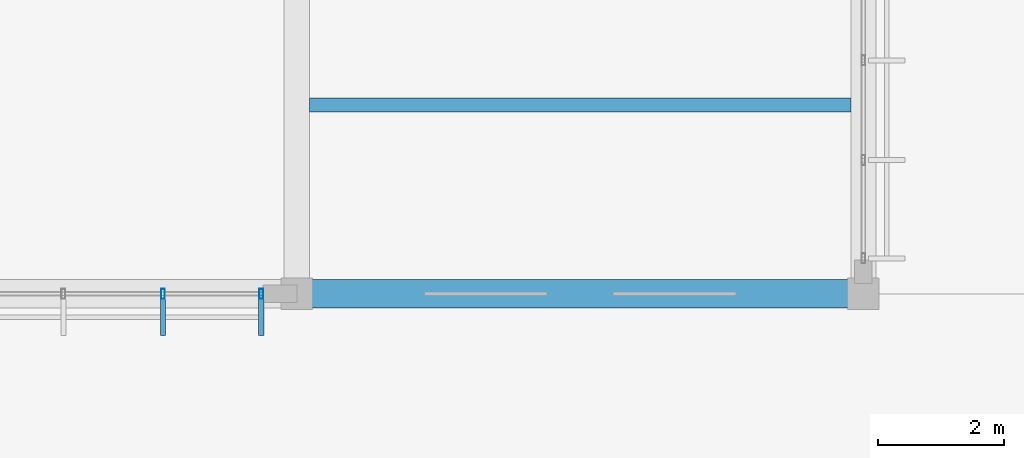
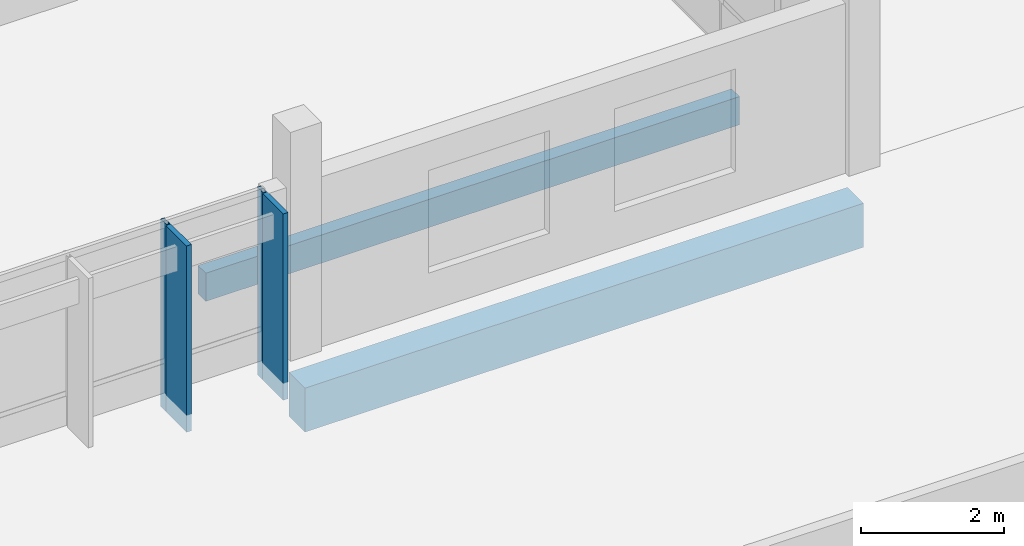
# One storey, part 58 of 107: 4 members, 2 beams, 1 element without a shape of its own.
"""IFC4 building model written with IfcOpenShell, lengths in metres."""

from ifc_helpers import new_model, si_unit, direction, frame, origin, origin_2d, place, context, subcontext, project, spatial, rectangle, hollow_rectangle, extrude, material, material_profile, profile_set, type_object, element, aggregate, save


model = new_model("IFC4")

# Units and contexts
model_context = context("Model", 3, precision=1e-05, world=origin(), true_north=direction((0.0, 1.0)))
body_context = subcontext(model_context, "Body", "Model", "MODEL_VIEW")
ifc_project = project(units=[si_unit("LENGTHUNIT", "METRE"), si_unit("AREAUNIT", "SQUARE_METRE"), si_unit("VOLUMEUNIT", "CUBIC_METRE"), si_unit("PLANEANGLEUNIT", "RADIAN"), si_unit("MASSUNIT", "GRAM", prefix="KILO")], contexts=[model_context])

# Site, building, storey
site_placement = place(None, origin())
site = spatial("IfcSite", under=ifc_project, at=site_placement, CompositionType="ELEMENT")
building_placement = place(site_placement, origin())
building = spatial("IfcBuilding", under=site, at=building_placement, Name="Chiffa Square Polytechnic", CompositionType="ELEMENT")
storey_placement = place(building_placement, frame((0.0, 0.0, 13.800048828125)))
storey = spatial("IfcBuildingStorey", under=building, at=storey_placement, Name="L03", CompositionType="ELEMENT", Elevation=13.800048828125)

# Beam
ifc_material_1 = material(Name="Concrete C35/45", Category="concrete")
ifc_material_profile_1 = material_profile(ifc_material_1, rectangle(XDim=0.449951171875, YDim=0.75, at=origin_2d()), Name="RC 450x750")
ifc_profile_set_1 = profile_set([ifc_material_profile_1], Name="Concrete C35/45")
beam_type_1 = type_object("IfcBeamType", Name="BM-RC-450X750", PredefinedType="BEAM", material=ifc_profile_set_1)
beam_1_placement = place(storey_placement, frame((130.199951171875, 103.800048828125, -0.635009765625), z_axis=(1.0, 0.0, 0.0), x_axis=(0.0, 1.0, 0.0)))
element("IfcBeam", 1, at=beam_1_placement, inside=storey, type_object=beam_type_1, Name="Primary floor girder BM-V5-L03-X-1302-1038", PredefinedType="BEAM", context=body_context, shape_type="SweptSolid", body=[
    extrude(rectangle(XDim=0.449951171875, YDim=0.75, at=origin_2d()), origin(), (0.0, 0.0, 1.0), 9.0),
])

# Curtain wall, members
ifc_material_2 = material(Name="Aluminium EN AW-6060 T66 and glulam shading", Category="wood")
curtain_wall_type = type_object("IfcCurtainWallType", Name="CW-VERT-600X380", PredefinedType="USERDEFINED", material=ifc_material_2)
curtain_wall_placement = place(storey_placement, origin())
curtain_wall = element("IfcCurtainWall", 2, at=curtain_wall_placement, inside=storey, type_object=curtain_wall_type, Name="Curtain wall CW-V5-L03-228", ObjectType="CURTAIN WALL", PredefinedType="USERDEFINED")
ifc_material_3 = material(Name="Aluminium EN AW-6060 T66", Category="aluminium")
ifc_material_profile_2 = material_profile(ifc_material_3, hollow_rectangle(XDim=0.06005859375, YDim=0.159912109375, WallThickness=0.00390625, at=origin_2d()), Name="ALU 60x160x4")
ifc_profile_set_2 = profile_set([ifc_material_profile_2], Name="Aluminium EN AW-6060 T66")
member_type_1 = type_object("IfcMemberType", Name="CWM-ALU-65X150", PredefinedType="MULLION", material=ifc_profile_set_2)
member_1_placement = place(storey_placement, frame((128.075927734375, 103.800048828125, 0.0), z_axis=(0.0, 0.0, 1.0), x_axis=(1.0, 0.0, 0.0)))
member_1 = element("IfcMember", 3, at=member_1_placement, type_object=member_type_1, Name="Curtain wall mullion CW-V5-L03-228-M04", PredefinedType="MULLION", context=body_context, shape_type="SweptSolid", body=[
    extrude(hollow_rectangle(XDim=0.06005859375, YDim=0.159912109375, WallThickness=0.00390625, at=origin_2d()), origin(), (0.0, 0.0, 1.0), 3.195068359375),
])
member_2_placement = place(storey_placement, frame((129.635009765625, 103.800048828125, 0.0), z_axis=(0.0, 0.0, 1.0), x_axis=(1.0, 0.0, 0.0)))
member_2 = element("IfcMember", 4, at=member_2_placement, type_object=member_type_1, Name="Curtain wall mullion CW-V5-L03-228-M05", PredefinedType="MULLION", context=body_context, shape_type="SweptSolid", body=[
    extrude(hollow_rectangle(XDim=0.06005859375, YDim=0.159912109375, WallThickness=0.00390625, at=origin_2d()), origin(), (0.0, 0.0, 1.0), 3.195068359375),
])
ifc_material_4 = material(Name="Glulam GL28h", Category="wood")
ifc_material_profile_3 = material_profile(ifc_material_4, rectangle(XDim=0.080078125, YDim=0.580078125, at=origin_2d()), Name="GL28h 80x580")
ifc_profile_set_3 = profile_set([ifc_material_profile_3], Name="Glulam GL28h")
member_type_2 = type_object("IfcMemberType", Name="CWM-GL-80X580", PredefinedType="MULLION", material=ifc_profile_set_3)
member_3_placement = place(storey_placement, frame((128.075927734375, 103.427978515625, 0.010009765625), z_axis=(0.0, 0.0, 1.0), x_axis=(1.0, 0.0, 0.0)))
member_3 = element("IfcMember", 5, at=member_3_placement, type_object=member_type_2, Name="Exterior glulam solar fin CW-V5-L03-228-FN04", PredefinedType="MULLION", context=body_context, shape_type="SweptSolid", body=[
    extrude(rectangle(XDim=0.080078125, YDim=0.580078125, at=origin_2d()), origin(), (0.0, 0.0, 1.0), 3.175048828125),
])
member_4_placement = place(storey_placement, frame((129.635009765625, 103.427978515625, 0.010009765625), z_axis=(0.0, 0.0, 1.0), x_axis=(1.0, 0.0, 0.0)))
member_4 = element("IfcMember", 6, at=member_4_placement, type_object=member_type_2, Name="Exterior glulam solar fin CW-V5-L03-228-FN05", PredefinedType="MULLION", context=body_context, shape_type="SweptSolid", body=[
    extrude(rectangle(XDim=0.080078125, YDim=0.580078125, at=origin_2d()), origin(), (0.0, 0.0, 1.0), 3.175048828125),
])
aggregate(curtain_wall, [member_1, member_3, member_2, member_4])

# Beam
ifc_material_profile_4 = material_profile(ifc_material_4, rectangle(XDim=0.219970703125, YDim=0.47998046875, at=origin_2d()), Name="GL28h 220x480")
ifc_profile_set_4 = profile_set([ifc_material_profile_4], Name="Glulam GL28h")
beam_type_2 = type_object("IfcBeamType", Name="JST-GL-220X480", PredefinedType="JOIST", material=ifc_profile_set_4)
beam_2_placement = place(storey_placement, frame((130.39794921875, 106.800048828125, -0.5), z_axis=(1.0, 0.0, 0.0), x_axis=(0.0, 1.0, 0.0)))
element("IfcBeam", 7, at=beam_2_placement, inside=storey, type_object=beam_type_2, Name="Secondary floor joist JST-V5-L03-1302-1068", PredefinedType="JOIST", context=body_context, shape_type="SweptSolid", body=[
    extrude(rectangle(XDim=0.219970703125, YDim=0.47998046875, at=origin_2d()), origin(), (0.0, 0.0, 1.0), 8.60400390625),
])

save(model, "model.ifc")
